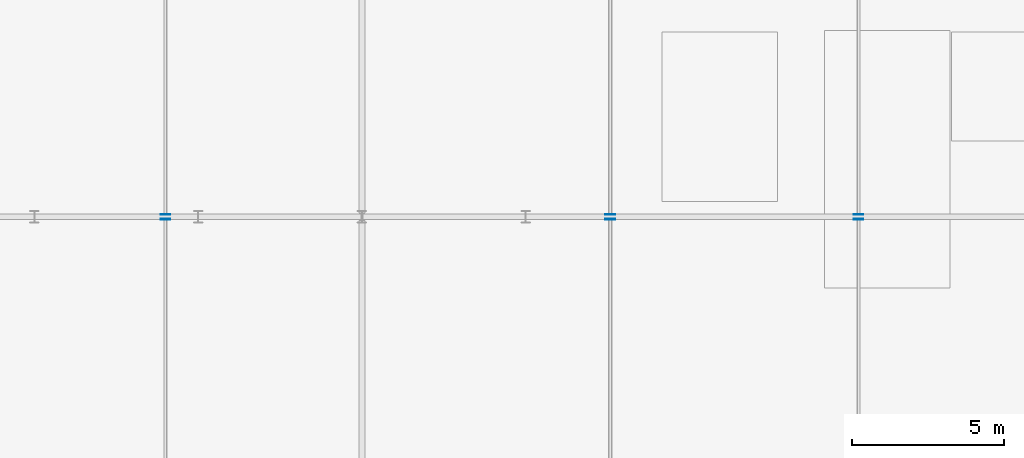
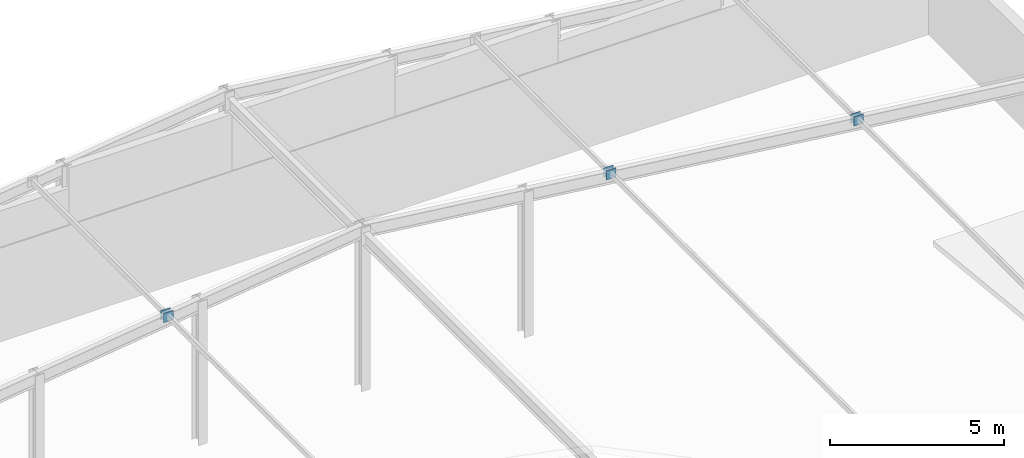
# One storey, part 21 of 27: 6 plates.
"""IFC4 building model written with IfcOpenShell, lengths in metres."""

from ifc_helpers import new_model, si_unit, direction, frame, origin, origin_2d, place, context, subcontext, project, spatial, rectangle, extrude, material, layer, layer_set, type_object, element, save


model = new_model("IFC4")

# Units and contexts
model_context = context("Model", 3, precision=1e-05, world=origin(), true_north=direction((0.0, 1.0)))
body_context = subcontext(model_context, "Body", "Model", "MODEL_VIEW")
ifc_project = project(units=[si_unit("LENGTHUNIT", "METRE"), si_unit("AREAUNIT", "SQUARE_METRE"), si_unit("VOLUMEUNIT", "CUBIC_METRE"), si_unit("PLANEANGLEUNIT", "RADIAN"), si_unit("MASSUNIT", "GRAM", prefix="KILO")], contexts=[model_context])

# Site, building, storey
site_placement = place(None, origin())
site = spatial("IfcSite", under=ifc_project, at=site_placement, CompositionType="ELEMENT")
building_placement = place(site_placement, origin())
building = spatial("IfcBuilding", under=site, at=building_placement, Name="Tazoul Stagehouse", CompositionType="ELEMENT")
storey_placement = place(building_placement, frame((0.0, 0.0, 24.89990234375)))
storey = spatial("IfcBuildingStorey", under=building, at=storey_placement, Name="RF", CompositionType="ELEMENT", Elevation=24.89990234375)

# Plates
ifc_material = material(Name="Steel S355", Category="steel")
ifc_layer = layer(ifc_material, 0.02001953125, Name="Steel S355")
ifc_layer_set = layer_set([ifc_layer], Name="Steel S355")
plate_type = type_object("IfcPlateType", Name="Steel Brace End-Cap Plate 320x320x20", PredefinedType="USERDEFINED", material=ifc_layer_set)
for number, where, z_axis, x_axis, name in (
    (1, (72.719970703125, 103.919921875, 4.6298828125), (0.0, 0.0, 1.0), (0.0, 1.0, 0.0), "RF Purlin End-Cap Plate GP-01 (PURL-V2-W1-2-2)"),
    (2, (72.719970703125, 104.080078125, 4.6298828125), (0.0, 0.0, 1.0), (0.0, 1.0, 0.0), "RF Purlin End-Cap Plate GP-01 (PURL-V2-W2-2-1)"),
    (3, (87.389892578125, 103.919921875, 4.490234375), (0.0, 0.0, 1.0), (0.0, 1.0, 0.0), "RF Purlin End-Cap Plate GP-01 (PURL-V2-E1-1-2)"),
    (4, (95.580078125, 103.919921875, 3.51025390625), (0.0, 0.0, 1.0), (0.0, 1.0, 0.0), "RF Purlin End-Cap Plate GP-01 (PURL-V2-E1-2-2)"),
    (5, (87.389892578125, 104.080078125, 4.490234375), (0.0, 0.0, 1.0), (0.0, 1.0, 0.0), "RF Purlin End-Cap Plate GP-01 (PURL-V2-E2-1-1)"),
    (6, (95.580078125, 104.080078125, 3.51025390625), (0.0, 0.0, 1.0), (0.0, 1.0, 0.0), "RF Purlin End-Cap Plate GP-01 (PURL-V2-E2-2-1)"),
):
    element("IfcPlate", number, at=place(storey_placement, frame(where, z_axis=z_axis, x_axis=x_axis)), inside=storey, type_object=plate_type, Name=name, ObjectType="GUSSET PLATE", PredefinedType="USERDEFINED", context=body_context, shape_type="SweptSolid", body=[
        extrude(rectangle(XDim=0.02001953125, YDim=0.320068359375, at=origin_2d()), origin(), (0.0, 0.0, 1.0), 0.320068359375),
    ])

save(model, "model.ifc")
